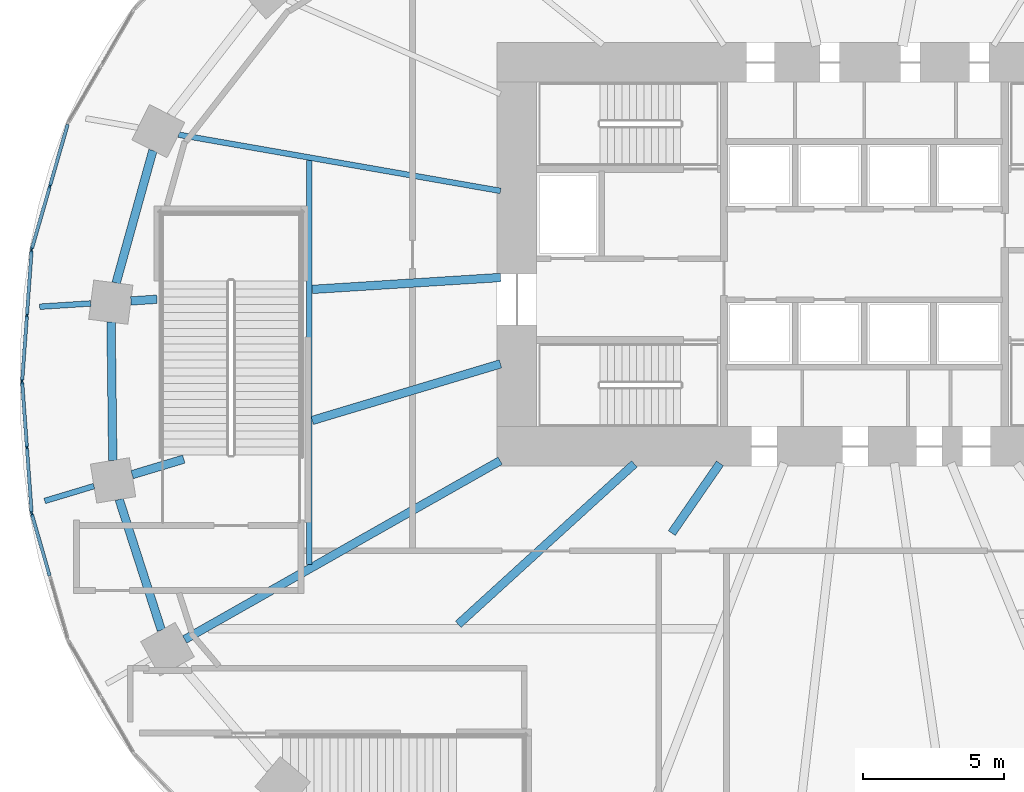
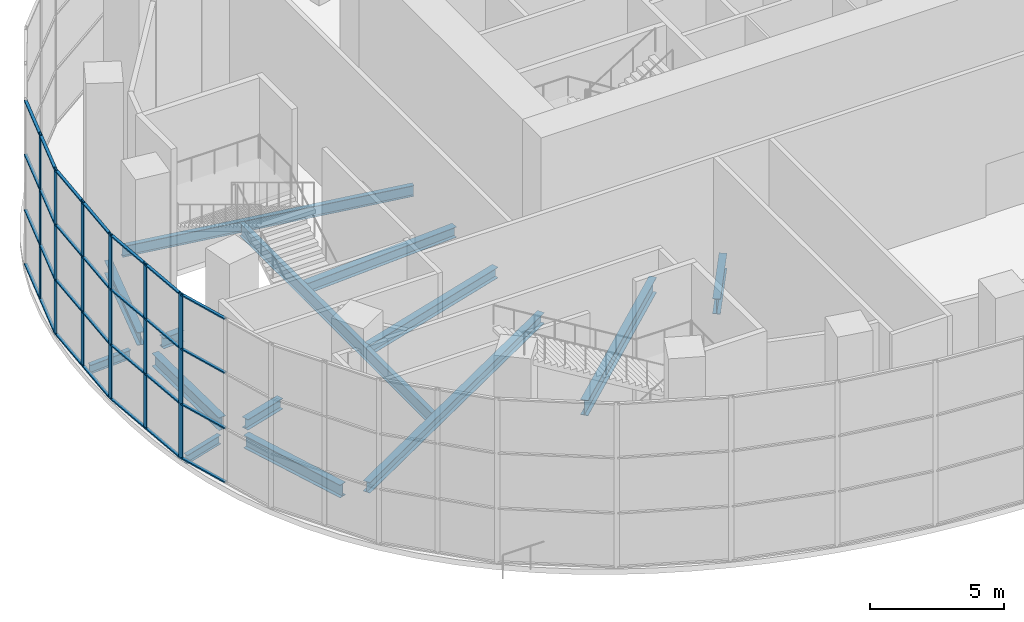
# One storey, part 4 of 22: 34 members, 14 beams, 4 elements without a shape of their own.
"""IFC4 building model written with IfcOpenShell, lengths in metres."""

import ifcopenshell
import ifcopenshell.guid

model = None  # the IFC model being written
_history = None  # IfcOwnerHistory: only IFC2X3 demands one
_inside = {}  # id of a spatial element -> (the spatial element, [elements in it])
_under = {}  # id of a project, library or spatial element -> (it, [spatial elements below it])
_declared = {}  # id of a project -> (the project, [libraries it declares])
_typed = {}  # id of a type object -> (the type object, [elements of that type])
_made_of = {}  # id of a material, layer set ... -> (it, [elements and type objects made of it])


def new_model(schema):
    """Start an empty IFC model of exactly this schema.

    Asked for "IFC4X3", IfcOpenShell would pick the latest addendum, in which some entities
    have other attributes; the version numbers below select the first issue.
    IFC2X3 requires an IfcOwnerHistory on every rooted entity: one is made here for all.
    """
    global model, _history
    if schema == "IFC4X3":
        model = ifcopenshell.file(schema_version=(4, 3, 0, 0))
    else:
        model = ifcopenshell.file(schema=schema)
    _inside.clear()
    _under.clear()
    _declared.clear()
    _typed.clear()
    _made_of.clear()
    _history = None
    if model.schema == "IFC2X3":
        org = make("IfcOrganization", Name="unknown")
        user = make(
            "IfcPersonAndOrganization",
            ThePerson=make("IfcPerson", FamilyName="unknown"),
            TheOrganization=org,
        )
        app = make(
            "IfcApplication",
            ApplicationDeveloper=org,
            Version="unknown",
            ApplicationFullName="unknown",
            ApplicationIdentifier="unknown",
        )
        _history = make(
            "IfcOwnerHistory",
            OwningUser=user,
            OwningApplication=app,
            ChangeAction="ADDED",
            CreationDate=0,
        )
    return model


def make(cls, **values):
    """One entity of the class cls with the attributes given. An attribute that is None is left unset."""
    return model.create_entity(
        cls, **{name: value for name, value in values.items() if value is not None}
    )


def rooted(cls, **values):
    """An entity with a GlobalId (a new one), such as an element, a storey or a relation."""
    return make(cls, GlobalId=ifcopenshell.guid.new(), OwnerHistory=_history, **values)


def si_unit(unit_type, name, prefix=None):
    """IfcSIUnit, for example si_unit("LENGTHUNIT", "METRE", prefix="MILLI")."""
    return make("IfcSIUnit", UnitType=unit_type, Prefix=prefix, Name=name)


def assignment(units):
    """IfcUnitAssignment: the units of a project."""
    return None if units is None else make("IfcUnitAssignment", Units=units)


def point(xyz):
    """IfcCartesianPoint."""
    return None if xyz is None else make("IfcCartesianPoint", Coordinates=xyz)


def direction(xyz):
    """IfcDirection."""
    return None if xyz is None else make("IfcDirection", DirectionRatios=xyz)


def frame(location, z_axis=None, x_axis=None):
    """IfcAxis2Placement3D, a coordinate frame: its origin and axes. An axis left out is left unset."""
    return make(
        "IfcAxis2Placement3D",
        Location=point(location),
        Axis=direction(z_axis),
        RefDirection=direction(x_axis),
    )


def frame_2d(location, x_axis=None):
    """IfcAxis2Placement2D, a coordinate frame in the plane: its origin and x axis."""
    return make(
        "IfcAxis2Placement2D", Location=point(location), RefDirection=direction(x_axis)
    )


def origin():
    """The frame at (0, 0, 0) with its axes left unset."""
    return frame((0.0, 0.0, 0.0))


def origin_2d():
    """The frame at (0, 0) in the plane with its x axis left unset."""
    return frame_2d((0.0, 0.0))


def place(relative_to, where):
    """IfcLocalPlacement: puts the frame where relative to a parent placement (None: the world)."""
    return make(
        "IfcLocalPlacement", PlacementRelTo=relative_to, RelativePlacement=where
    )


def context(
    kind, dimensions, precision=None, world=None, true_north=None, identifier=None
):
    """IfcGeometricRepresentationContext, for example the 3D "Model" context."""
    return make(
        "IfcGeometricRepresentationContext",
        ContextIdentifier=identifier,
        ContextType=kind,
        CoordinateSpaceDimension=dimensions,
        Precision=precision,
        WorldCoordinateSystem=world,
        TrueNorth=true_north,
    )


def subcontext(parent, identifier, kind, view, scale=None):
    """IfcGeometricRepresentationSubContext, for example "Body" below "Model"."""
    return make(
        "IfcGeometricRepresentationSubContext",
        ContextIdentifier=identifier,
        ContextType=kind,
        ParentContext=parent,
        TargetScale=scale,
        TargetView=view,
    )


def project(units=None, contexts=None):
    """IfcProject with its units and contexts."""
    return rooted(
        "IfcProject",
        Name="project",
        RepresentationContexts=contexts,
        UnitsInContext=assignment(units),
    )


def spatial(cls, under=None, at=None, **own):
    """A site, building, storey or space (cls), placed at a placement, below another one or the project."""
    s = rooted(cls, ObjectPlacement=at, **own)
    if under is not None:
        _under.setdefault(under.id(), (under, []))[1].append(s)
    return s


def profile(cls, at=None, kind="AREA", **sizes):
    """A parametric profile (cls). Its sizes go by their IFC names, for example OverallWidth=200.0."""
    return make(cls, ProfileType=kind, Position=at, **sizes)


def rectangle(**sizes):
    """IfcRectangleProfileDef."""
    return profile("IfcRectangleProfileDef", **sizes)


def i_section(**sizes):
    """IfcIShapeProfileDef."""
    return profile("IfcIShapeProfileDef", **sizes)


def extrude(swept, where, along, depth):
    """IfcExtrudedAreaSolid: the profile swept, set in the frame where, extruded along a direction by depth."""
    return make(
        "IfcExtrudedAreaSolid",
        SweptArea=swept,
        Position=where,
        ExtrudedDirection=direction(along),
        Depth=depth,
    )


def shape(context_of_items, identifier, shape_type, items):
    """IfcShapeRepresentation: the items that make up one representation, for example the "Body"."""
    return make(
        "IfcShapeRepresentation",
        ContextOfItems=context_of_items,
        RepresentationIdentifier=identifier,
        RepresentationType=shape_type,
        Items=items,
    )


def material(Name=None, Category=None):
    """IfcMaterial."""
    return make("IfcMaterial", Name=Name, Category=Category)


def material_profile(
    of_material, cross_section, Name=None, Category=None, Priority=None
):
    """IfcMaterialProfile: a cross section and its material."""
    return make(
        "IfcMaterialProfile",
        Name=Name,
        Material=of_material,
        Profile=cross_section,
        Priority=Priority,
        Category=Category,
    )


def profile_set(profiles, Name=None, composite=None):
    """IfcMaterialProfileSet."""
    return make(
        "IfcMaterialProfileSet",
        Name=Name,
        MaterialProfiles=profiles,
        CompositeProfile=composite,
    )


def made_of(thing, what):
    """Note that an element or type object is made of a material, layer set ...; save() writes the relation."""
    if what is not None:
        _made_of.setdefault(what.id(), (what, []))[1].append(thing)
    return thing


def type_object(cls, material=None, **own):
    """A type object (cls), such as IfcWallType, which elements share."""
    return made_of(rooted(cls, **own), material)


def element(
    cls,
    number,
    at=None,
    inside=None,
    cuts=None,
    type_object=None,
    material=None,
    context=None,
    identifier="Body",
    shape_type=None,
    held_by="IfcProductDefinitionShape",
    body=None,
    shapes=None,
    **own,
):
    """One element of the class cls, such as IfcWall. Its Tag is "e" and its number.

    at: its placement. inside: the storey or other place that contains it. cuts: it is an
    opening in that element (IfcRelVoidsElement). A single representation is given by context,
    identifier, shape_type and body (its items); several are given by shapes. held_by: the class
    of the entity that holds the representations. save() writes the other relations.
    """
    e = rooted(cls, Tag="e%d" % number, ObjectPlacement=at, **own)
    if body is not None:
        shapes = [shape(context, identifier, shape_type, body)]
    if shapes is not None:
        e.Representation = make(held_by, Representations=shapes)
    if inside is not None:
        _inside.setdefault(inside.id(), (inside, []))[1].append(e)
    if cuts is not None:
        rooted(
            "IfcRelVoidsElement", RelatingBuildingElement=cuts, RelatedOpeningElement=e
        )
    if type_object is not None:
        _typed.setdefault(type_object.id(), (type_object, []))[1].append(e)
    return made_of(e, material)


def aggregate(whole, parts):
    """IfcRelAggregates: a whole, such as a stair, and the parts it consists of."""
    return rooted("IfcRelAggregates", RelatingObject=whole, RelatedObjects=parts)


def save(model, path):
    """Write the relations noted so far, then the file.

    IfcRelAggregates (storeys below a building ...), IfcRelContainedInSpatialStructure (elements
    in a storey), IfcRelDefinesByType, IfcRelAssociatesMaterial and IfcRelDeclares: one each for
    every whole, place, type object, material and project.
    """
    for whole, parts in _under.values():
        aggregate(whole, parts)
    for where, things in _inside.values():
        rooted(
            "IfcRelContainedInSpatialStructure",
            RelatedElements=things,
            RelatingStructure=where,
        )
    for kind, things in _typed.values():
        rooted("IfcRelDefinesByType", RelatedObjects=things, RelatingType=kind)
    for what, things in _made_of.values():
        rooted("IfcRelAssociatesMaterial", RelatedObjects=things, RelatingMaterial=what)
    for by, libraries in _declared.values():
        rooted("IfcRelDeclares", RelatingContext=by, RelatedDefinitions=libraries)
    model.write(path)


model = new_model("IFC4")

# Units and contexts
model_context = context("Model", 3, precision=1e-05, world=origin(), true_north=direction((0.0, 1.0)))
body_context = subcontext(model_context, "Body", "Model", "MODEL_VIEW")
ifc_project = project(units=[si_unit("LENGTHUNIT", "METRE"), si_unit("AREAUNIT", "SQUARE_METRE"), si_unit("VOLUMEUNIT", "CUBIC_METRE"), si_unit("PLANEANGLEUNIT", "RADIAN"), si_unit("MASSUNIT", "GRAM", prefix="KILO")], contexts=[model_context])

# Site, building, storey
site_placement = place(None, origin())
site = spatial("IfcSite", under=ifc_project, at=site_placement, CompositionType="ELEMENT")
building_placement = place(site_placement, origin())
building = spatial("IfcBuilding", under=site, at=building_placement, Name="Rubra Terraces Tower", CompositionType="ELEMENT")
storey_placement = place(building_placement, frame((0.0, 0.0, 15.0)))
storey = spatial("IfcBuildingStorey", under=building, at=storey_placement, Name="L02", CompositionType="ELEMENT", Elevation=15.0)

# Beams
ifc_material_1 = material(Name="Steel Q355B", Category="steel")
ifc_material_profile_1 = material_profile(ifc_material_1, i_section(OverallWidth=0.199951171875, OverallDepth=0.39990234375, WebThickness=0.008056640625, FlangeThickness=0.012939453125, at=origin_2d()), Name="HN 400x200x8x13")
ifc_profile_set_1 = profile_set([ifc_material_profile_1], Name="Steel Q355B")
beam_type_1 = type_object("IfcBeamType", Name="CANTILEVER BEAM HN 400x200x8x13", PredefinedType="BEAM", material=ifc_profile_set_1)
beam_1_placement = place(storey_placement, frame((-27.39599609375, 2.762939453125, -0.449951171875), z_axis=(-0.997981102524, -0.063511565909, 0.0), x_axis=(0.063511565909, -0.997981102524, 0.0)))
element("IfcBeam", 1, at=beam_1_placement, inside=storey, type_object=beam_type_1, Name="beam-L02-cant-12", PredefinedType="BEAM", context=body_context, shape_type="SweptSolid", body=[
    extrude(i_section(OverallWidth=0.199951171875, OverallDepth=0.39990234375, WebThickness=0.008056640625, FlangeThickness=0.012939453125, at=origin_2d()), origin(), (0.0, 0.0, 1.0), 1.810546875),
])
beam_2_placement = place(storey_placement, frame((-27.281005859375, -3.7060546875, -0.449951171875), z_axis=(-0.95756392402, -0.28822097671, 0.0), x_axis=(0.28822097671, -0.95756392402, 0.0)))
element("IfcBeam", 2, at=beam_2_placement, inside=storey, type_object=beam_type_1, Name="beam-L02-cant-13", PredefinedType="BEAM", context=body_context, shape_type="SweptSolid", body=[
    extrude(i_section(OverallWidth=0.199951171875, OverallDepth=0.39990234375, WebThickness=0.008056640625, FlangeThickness=0.012939453125, at=origin_2d()), origin(), (0.0, 0.0, 1.0), 1.8212890625),
])
ifc_material_profile_2 = material_profile(ifc_material_1, i_section(OverallWidth=0.300048828125, OverallDepth=0.48193359375, WebThickness=0.010986328125, FlangeThickness=0.014892578125, at=origin_2d()), Name="HM 482x300x11x15")
ifc_profile_set_2 = profile_set([ifc_material_profile_2], Name="Steel Q355B")
beam_type_2 = type_object("IfcBeamType", Name="FLOOR BEAM HM 482x300x11x15", PredefinedType="BEAM", material=ifc_profile_set_2)
beam_3_placement = place(storey_placement, frame((-25.971923828125, 2.85302734375, -0.490966796875), z_axis=(0.997952606067, 0.063957767656, 0.0), x_axis=(-0.063957767656, 0.997952606067, 0.0)))
element("IfcBeam", 3, at=beam_3_placement, inside=storey, type_object=beam_type_2, Name="beam-L02-floor-12-a", PredefinedType="BEAM", context=body_context, shape_type="SweptSolid", body=[
    extrude(i_section(OverallWidth=0.300048828125, OverallDepth=0.48193359375, WebThickness=0.010986328125, FlangeThickness=0.014892578125, at=origin_2d()), origin(), (0.0, 0.0, 1.0), 0.923828125),
])
beam_4_placement = place(storey_placement, frame((-19.550048828125, 3.260986328125, -0.490966796875), z_axis=(0.998003521205, 0.063158306364, 0.0), x_axis=(-0.063158306364, 0.998003521205, 0.0)))
element("IfcBeam", 4, at=beam_4_placement, inside=storey, type_object=beam_type_2, Name="beam-L02-floor-12-b", PredefinedType="BEAM", context=body_context, shape_type="SweptSolid", body=[
    extrude(i_section(OverallWidth=0.300048828125, OverallDepth=0.48193359375, WebThickness=0.010986328125, FlangeThickness=0.014892578125, at=origin_2d()), origin(), (0.0, 0.0, 1.0), 6.68359375),
])
beam_5_placement = place(storey_placement, frame((-25.928955078125, -3.300048828125, -0.490966796875), z_axis=(0.957526889741, 0.288343988011, 0.0), x_axis=(-0.288343988011, 0.957526889741, 0.0)))
element("IfcBeam", 5, at=beam_5_placement, inside=storey, type_object=beam_type_2, Name="beam-L02-floor-13-a", PredefinedType="BEAM", context=body_context, shape_type="SweptSolid", body=[
    extrude(i_section(OverallWidth=0.300048828125, OverallDepth=0.48193359375, WebThickness=0.010986328125, FlangeThickness=0.014892578125, at=origin_2d()), origin(), (0.0, 0.0, 1.0), 1.910888671875),
])
beam_6_placement = place(storey_placement, frame((-19.550048828125, -1.381103515625, -0.490966796875), z_axis=(0.95760395175, 0.288087958085, 0.0), x_axis=(-0.288087958085, 0.95760395175, 0.0)))
element("IfcBeam", 6, at=beam_6_placement, inside=storey, type_object=beam_type_2, Name="beam-L02-floor-13-b", PredefinedType="BEAM", context=body_context, shape_type="SweptSolid", body=[
    extrude(i_section(OverallWidth=0.300048828125, OverallDepth=0.48193359375, WebThickness=0.010986328125, FlangeThickness=0.014892578125, at=origin_2d()), origin(), (0.0, 0.0, 1.0), 6.960205078125),
])
beam_7_placement = place(storey_placement, frame((-24.06689453125, -9.137939453125, -0.490966796875), z_axis=(0.869992824144, 0.493064383157, 0.0), x_axis=(-0.493064383157, 0.869992824144, 0.0)))
element("IfcBeam", 7, at=beam_7_placement, inside=storey, type_object=beam_type_2, Name="beam-L02-floor-14", PredefinedType="BEAM", context=body_context, shape_type="SweptSolid", body=[
    extrude(i_section(OverallWidth=0.300048828125, OverallDepth=0.48193359375, WebThickness=0.010986328125, FlangeThickness=0.014892578125, at=origin_2d()), origin(), (0.0, 0.0, 1.0), 12.84033203125),
])
ifc_material_profile_3 = material_profile(ifc_material_1, i_section(OverallWidth=0.198974609375, OverallDepth=0.49609375, WebThickness=0.009033203125, FlangeThickness=0.013916015625, at=origin_2d()), Name="HN 496x199x9x14")
ifc_profile_set_3 = profile_set([ifc_material_profile_3], Name="Steel Q355B")
beam_type_3 = type_object("IfcBeamType", Name="FLOOR BEAM HN 496x199x9x14", PredefinedType="BEAM", material=ifc_profile_set_3)
beam_8_placement = place(storey_placement, frame((-24.282958984375, 8.739990234375, -0.498046875), z_axis=(0.985091834527, -0.172029292701, 0.0), x_axis=(0.172029292701, 0.985091834527, 0.0)))
element("IfcBeam", 8, at=beam_8_placement, inside=storey, type_object=beam_type_3, Name="beam-L02-floor-11", PredefinedType="BEAM", context=body_context, shape_type="SweptSolid", body=[
    extrude(i_section(OverallWidth=0.198974609375, OverallDepth=0.49609375, WebThickness=0.009033203125, FlangeThickness=0.013916015625, at=origin_2d()), origin(), (0.0, 0.0, 1.0), 11.573486328125),
])
ifc_material_profile_4 = material_profile(ifc_material_1, i_section(OverallWidth=0.300048828125, OverallDepth=0.699951171875, WebThickness=0.012939453125, FlangeThickness=0.02392578125, at=origin_2d()), Name="HN 700x300x13x24")
ifc_profile_set_4 = profile_set([ifc_material_profile_4], Name="Steel Q355B")
beam_type_4 = type_object("IfcBeamType", Name="FLOOR BEAM HN 700x300x13x24", PredefinedType="BEAM", material=ifc_profile_set_4)
beam_9_placement = place(storey_placement, frame((-14.3798828125, -8.60009765625, -0.60009765625), z_axis=(0.739219389945, 0.673464693603, 0.0), x_axis=(-0.673464693603, 0.739219389945, 0.0)))
element("IfcBeam", 9, at=beam_9_placement, inside=storey, type_object=beam_type_4, Name="beam-L02-floor-15-a", PredefinedType="BEAM", context=body_context, shape_type="SweptSolid", body=[
    extrude(i_section(OverallWidth=0.300048828125, OverallDepth=0.699951171875, WebThickness=0.012939453125, FlangeThickness=0.02392578125, at=origin_2d()), origin(), (0.0, 0.0, 1.0), 8.435791015625),
])
beam_10_placement = place(storey_placement, frame((-6.818115234375, -5.368896484375, -0.60009765625), z_axis=(0.568409833772, 0.822745562657, 0.0), x_axis=(-0.822745562657, 0.568409833772, 0.0)))
element("IfcBeam", 10, at=beam_10_placement, inside=storey, type_object=beam_type_4, Name="beam-L02-floor-16-a", PredefinedType="BEAM", context=body_context, shape_type="SweptSolid", body=[
    extrude(i_section(OverallWidth=0.300048828125, OverallDepth=0.699951171875, WebThickness=0.012939453125, FlangeThickness=0.02392578125, at=origin_2d()), origin(), (0.0, 0.0, 1.0), 2.999755859375),
])

# Curtain wall, member
ifc_material_2 = material(Name="Aluminium and glass", Category="aluminium")
curtain_wall_type = type_object("IfcCurtainWallType", Name="Curtain wall Podium glazing", PredefinedType="NOTDEFINED", material=ifc_material_2)
curtain_wall_1_placement = place(storey_placement, origin())
curtain_wall_1 = element("IfcCurtainWall", 11, at=curtain_wall_1_placement, inside=storey, type_object=curtain_wall_type, Name="L02 glazing bay 19", PredefinedType="NOTDEFINED")
ifc_material_3 = material(Name="Aluminium, anodised dark grey", Category="aluminium")
ifc_material_profile_5 = material_profile(ifc_material_3, rectangle(XDim=0.06005859375, YDim=0.199951171875, at=origin_2d()), Name="AL 60x200")
ifc_profile_set_5 = profile_set([ifc_material_profile_5], Name="Aluminium, anodised dark grey")
member_type_1 = type_object("IfcMemberType", Name="Podium glazing mullion 60 x 200", PredefinedType="MULLION", material=ifc_profile_set_5)
member_1_placement = place(storey_placement, frame((-28.843505859375, 6.912841796875, 0.0), z_axis=(0.0, 0.0, 1.0), x_axis=(0.961047339404, -0.276383811798, 0.0)))
member_1 = element("IfcMember", 12, at=member_1_placement, type_object=member_type_1, Name="CW1 mullion 2", PredefinedType="MULLION", context=body_context, shape_type="SweptSolid", body=[
    extrude(rectangle(XDim=0.06005859375, YDim=0.199951171875, at=origin_2d()), origin(), (0.0, 0.0, 1.0), 7.550048828125),
])

# Curtain wall, members
curtain_wall_2_placement = place(storey_placement, origin())
curtain_wall_2 = element("IfcCurtainWall", 13, at=curtain_wall_2_placement, inside=storey, type_object=curtain_wall_type, Name="L02 glazing bay 20", PredefinedType="NOTDEFINED")
member_2_placement = place(storey_placement, frame((-29.490234375, 4.646728515625, 0.0), z_axis=(0.0, 0.0, 1.0), x_axis=(0.997419621076, -0.071792057306, 0.0)))
member_2 = element("IfcMember", 14, at=member_2_placement, type_object=member_type_1, Name="CW1 mullion 1", PredefinedType="MULLION", context=body_context, shape_type="SweptSolid", body=[
    extrude(rectangle(XDim=0.06005859375, YDim=0.199951171875, at=origin_2d()), origin(), (0.0, 0.0, 1.0), 7.550048828125),
])
member_3_placement = place(storey_placement, frame((-29.65673828125, 2.335693359375, 0.0), z_axis=(0.0, 0.0, 1.0), x_axis=(0.997419621076, -0.071792057306, 0.0)))
member_3 = element("IfcMember", 15, at=member_3_placement, type_object=member_type_1, Name="CW1 mullion 2", PredefinedType="MULLION", context=body_context, shape_type="SweptSolid", body=[
    extrude(rectangle(XDim=0.06005859375, YDim=0.199951171875, at=origin_2d()), origin(), (0.0, 0.0, 1.0), 7.550048828125),
])

curtain_wall_3_placement = place(storey_placement, origin())
curtain_wall_3 = element("IfcCurtainWall", 16, at=curtain_wall_3_placement, inside=storey, type_object=curtain_wall_type, Name="L02 glazing bay 21", PredefinedType="NOTDEFINED")
member_4_placement = place(storey_placement, frame((-29.822998046875, -0.0244140625, 0.0), z_axis=(0.0, 0.0, 1.0), x_axis=(0.997419621076, 0.071792057306, 0.0)))
member_4 = element("IfcMember", 17, at=member_4_placement, type_object=member_type_1, Name="CW1 mullion 1", PredefinedType="MULLION", context=body_context, shape_type="SweptSolid", body=[
    extrude(rectangle(XDim=0.06005859375, YDim=0.199951171875, at=origin_2d()), origin(), (0.0, 0.0, 1.0), 7.550048828125),
])
member_5_placement = place(storey_placement, frame((-29.65673828125, -2.335693359375, 0.0), z_axis=(0.0, 0.0, 1.0), x_axis=(0.997419621076, 0.071792057306, 0.0)))
member_5 = element("IfcMember", 18, at=member_5_placement, type_object=member_type_1, Name="CW1 mullion 2", PredefinedType="MULLION", context=body_context, shape_type="SweptSolid", body=[
    extrude(rectangle(XDim=0.06005859375, YDim=0.199951171875, at=origin_2d()), origin(), (0.0, 0.0, 1.0), 7.550048828125),
])

# Curtain wall, member
curtain_wall_4_placement = place(storey_placement, origin())
curtain_wall_4 = element("IfcCurtainWall", 19, at=curtain_wall_4_placement, inside=storey, type_object=curtain_wall_type, Name="L02 glazing bay 22", PredefinedType="NOTDEFINED")
member_6_placement = place(storey_placement, frame((-29.482666015625, -4.690185546875, 0.0), z_axis=(0.0, 0.0, 1.0), x_axis=(0.961047339404, 0.276383811798, 0.0)))
member_6 = element("IfcMember", 20, at=member_6_placement, type_object=member_type_1, Name="CW1 mullion 1", PredefinedType="MULLION", context=body_context, shape_type="SweptSolid", body=[
    extrude(rectangle(XDim=0.06005859375, YDim=0.199951171875, at=origin_2d()), origin(), (0.0, 0.0, 1.0), 7.550048828125),
])

# Member
ifc_material_profile_6 = material_profile(ifc_material_3, rectangle(XDim=0.1201171875, YDim=0.06005859375, at=origin_2d()), Name="AL 120x60")
ifc_profile_set_6 = profile_set([ifc_material_profile_6], Name="Aluminium, anodised dark grey")
member_type_2 = type_object("IfcMemberType", Name="Podium glazing transom 120 x 60", PredefinedType="USERDEFINED", material=ifc_profile_set_6)
member_7_placement = place(storey_placement, frame((-28.21240234375, 9.106689453125, 0.06005859375), z_axis=(-0.276452561882, -0.961027565177, 0.0), x_axis=(0.961027565177, -0.276452561882, 0.0)))
member_7 = element("IfcMember", 21, at=member_7_placement, type_object=member_type_2, Name="CW1 transom 1.1", ObjectType="TRANSOM", PredefinedType="USERDEFINED", context=body_context, shape_type="SweptSolid", body=[
    extrude(rectangle(XDim=0.1201171875, YDim=0.06005859375, at=origin_2d()), origin(), (0.0, 0.0, 1.0), 2.2529296875),
])

member_8_placement = place(storey_placement, frame((-28.21240234375, 9.106689453125, 2.5166015625), z_axis=(-0.276452561882, -0.961027565177, 0.0), x_axis=(0.961027565177, -0.276452561882, 0.0)))
member_8 = element("IfcMember", 22, at=member_8_placement, type_object=member_type_2, Name="CW1 transom 1.2", ObjectType="TRANSOM", PredefinedType="USERDEFINED", context=body_context, shape_type="SweptSolid", body=[
    extrude(rectangle(XDim=0.1201171875, YDim=0.06005859375, at=origin_2d()), origin(), (0.0, 0.0, 1.0), 2.2529296875),
])

member_9_placement = place(storey_placement, frame((-28.21240234375, 9.106689453125, 5.033203125), z_axis=(-0.276452561882, -0.961027565177, 0.0), x_axis=(0.961027565177, -0.276452561882, 0.0)))
member_9 = element("IfcMember", 23, at=member_9_placement, type_object=member_type_2, Name="CW1 transom 1.3", ObjectType="TRANSOM", PredefinedType="USERDEFINED", context=body_context, shape_type="SweptSolid", body=[
    extrude(rectangle(XDim=0.1201171875, YDim=0.06005859375, at=origin_2d()), origin(), (0.0, 0.0, 1.0), 2.2529296875),
])

member_10_placement = place(storey_placement, frame((-28.21240234375, 9.106689453125, 7.489990234375), z_axis=(-0.276452561882, -0.961027565177, 0.0), x_axis=(0.961027565177, -0.276452561882, 0.0)))
member_10 = element("IfcMember", 24, at=member_10_placement, type_object=member_type_2, Name="CW1 transom 1.4", ObjectType="TRANSOM", PredefinedType="USERDEFINED", context=body_context, shape_type="SweptSolid", body=[
    extrude(rectangle(XDim=0.1201171875, YDim=0.06005859375, at=origin_2d()), origin(), (0.0, 0.0, 1.0), 2.2529296875),
])

member_11_placement = place(storey_placement, frame((-28.851806640625, 6.884033203125, 0.06005859375), z_axis=(-0.276352469421, -0.961056352481, 0.0), x_axis=(0.961056352481, -0.276352469421, 0.0)))
member_11 = element("IfcMember", 25, at=member_11_placement, type_object=member_type_2, Name="CW1 transom 2.1", ObjectType="TRANSOM", PredefinedType="USERDEFINED", context=body_context, shape_type="SweptSolid", body=[
    extrude(rectangle(XDim=0.1201171875, YDim=0.06005859375, at=origin_2d()), origin(), (0.0, 0.0, 1.0), 2.252685546875),
])

member_12_placement = place(storey_placement, frame((-28.851806640625, 6.884033203125, 2.5166015625), z_axis=(-0.276352469421, -0.961056352481, 0.0), x_axis=(0.961056352481, -0.276352469421, 0.0)))
member_12 = element("IfcMember", 26, at=member_12_placement, type_object=member_type_2, Name="CW1 transom 2.2", ObjectType="TRANSOM", PredefinedType="USERDEFINED", context=body_context, shape_type="SweptSolid", body=[
    extrude(rectangle(XDim=0.1201171875, YDim=0.06005859375, at=origin_2d()), origin(), (0.0, 0.0, 1.0), 2.252685546875),
])

member_13_placement = place(storey_placement, frame((-28.851806640625, 6.884033203125, 5.033203125), z_axis=(-0.276352469421, -0.961056352481, 0.0), x_axis=(0.961056352481, -0.276352469421, 0.0)))
member_13 = element("IfcMember", 27, at=member_13_placement, type_object=member_type_2, Name="CW1 transom 2.3", ObjectType="TRANSOM", PredefinedType="USERDEFINED", context=body_context, shape_type="SweptSolid", body=[
    extrude(rectangle(XDim=0.1201171875, YDim=0.06005859375, at=origin_2d()), origin(), (0.0, 0.0, 1.0), 2.252685546875),
])

member_14_placement = place(storey_placement, frame((-28.851806640625, 6.884033203125, 7.489990234375), z_axis=(-0.276352469421, -0.961056352481, 0.0), x_axis=(0.961056352481, -0.276352469421, 0.0)))
member_14 = element("IfcMember", 28, at=member_14_placement, type_object=member_type_2, Name="CW1 transom 2.4", ObjectType="TRANSOM", PredefinedType="USERDEFINED", context=body_context, shape_type="SweptSolid", body=[
    extrude(rectangle(XDim=0.1201171875, YDim=0.06005859375, at=origin_2d()), origin(), (0.0, 0.0, 1.0), 2.252685546875),
])

aggregate(curtain_wall_1, [member_1, member_7, member_8, member_9, member_10, member_11, member_12, member_13, member_14])

member_15_placement = place(storey_placement, frame((-29.492431640625, 4.61669921875, 0.06005859375), z_axis=(-0.071823568166, -0.997417352494, 0.0), x_axis=(0.997417352494, -0.071823568166, 0.0)))
member_15 = element("IfcMember", 29, at=member_15_placement, type_object=member_type_2, Name="CW1 transom 1.1", ObjectType="TRANSOM", PredefinedType="USERDEFINED", context=body_context, shape_type="SweptSolid", body=[
    extrude(rectangle(XDim=0.1201171875, YDim=0.06005859375, at=origin_2d()), origin(), (0.0, 0.0, 1.0), 2.257080078125),
])

member_16_placement = place(storey_placement, frame((-29.492431640625, 4.61669921875, 2.5166015625), z_axis=(-0.071823568166, -0.997417352494, 0.0), x_axis=(0.997417352494, -0.071823568166, 0.0)))
member_16 = element("IfcMember", 30, at=member_16_placement, type_object=member_type_2, Name="CW1 transom 1.2", ObjectType="TRANSOM", PredefinedType="USERDEFINED", context=body_context, shape_type="SweptSolid", body=[
    extrude(rectangle(XDim=0.1201171875, YDim=0.06005859375, at=origin_2d()), origin(), (0.0, 0.0, 1.0), 2.257080078125),
])

member_17_placement = place(storey_placement, frame((-29.492431640625, 4.61669921875, 5.033203125), z_axis=(-0.071823568166, -0.997417352494, 0.0), x_axis=(0.997417352494, -0.071823568166, 0.0)))
member_17 = element("IfcMember", 31, at=member_17_placement, type_object=member_type_2, Name="CW1 transom 1.3", ObjectType="TRANSOM", PredefinedType="USERDEFINED", context=body_context, shape_type="SweptSolid", body=[
    extrude(rectangle(XDim=0.1201171875, YDim=0.06005859375, at=origin_2d()), origin(), (0.0, 0.0, 1.0), 2.257080078125),
])

member_18_placement = place(storey_placement, frame((-29.492431640625, 4.61669921875, 7.489990234375), z_axis=(-0.071823568166, -0.997417352494, 0.0), x_axis=(0.997417352494, -0.071823568166, 0.0)))
member_18 = element("IfcMember", 32, at=member_18_placement, type_object=member_type_2, Name="CW1 transom 1.4", ObjectType="TRANSOM", PredefinedType="USERDEFINED", context=body_context, shape_type="SweptSolid", body=[
    extrude(rectangle(XDim=0.1201171875, YDim=0.06005859375, at=origin_2d()), origin(), (0.0, 0.0, 1.0), 2.257080078125),
])

member_19_placement = place(storey_placement, frame((-29.658935546875, 2.3056640625, 0.06005859375), z_axis=(-0.071715956886, -0.997425095698, 0.0), x_axis=(0.997425095698, -0.071715956886, 0.0)))
member_19 = element("IfcMember", 33, at=member_19_placement, type_object=member_type_2, Name="CW1 transom 2.1", ObjectType="TRANSOM", PredefinedType="USERDEFINED", context=body_context, shape_type="SweptSolid", body=[
    extrude(rectangle(XDim=0.1201171875, YDim=0.06005859375, at=origin_2d()), origin(), (0.0, 0.0, 1.0), 2.257080078125),
])

member_20_placement = place(storey_placement, frame((-29.658935546875, 2.3056640625, 2.5166015625), z_axis=(-0.071715956886, -0.997425095698, 0.0), x_axis=(0.997425095698, -0.071715956886, 0.0)))
member_20 = element("IfcMember", 34, at=member_20_placement, type_object=member_type_2, Name="CW1 transom 2.2", ObjectType="TRANSOM", PredefinedType="USERDEFINED", context=body_context, shape_type="SweptSolid", body=[
    extrude(rectangle(XDim=0.1201171875, YDim=0.06005859375, at=origin_2d()), origin(), (0.0, 0.0, 1.0), 2.257080078125),
])

member_21_placement = place(storey_placement, frame((-29.658935546875, 2.3056640625, 5.033203125), z_axis=(-0.071715956886, -0.997425095698, 0.0), x_axis=(0.997425095698, -0.071715956886, 0.0)))
member_21 = element("IfcMember", 35, at=member_21_placement, type_object=member_type_2, Name="CW1 transom 2.3", ObjectType="TRANSOM", PredefinedType="USERDEFINED", context=body_context, shape_type="SweptSolid", body=[
    extrude(rectangle(XDim=0.1201171875, YDim=0.06005859375, at=origin_2d()), origin(), (0.0, 0.0, 1.0), 2.257080078125),
])

member_22_placement = place(storey_placement, frame((-29.658935546875, 2.3056640625, 7.489990234375), z_axis=(-0.071715956886, -0.997425095698, 0.0), x_axis=(0.997425095698, -0.071715956886, 0.0)))
member_22 = element("IfcMember", 36, at=member_22_placement, type_object=member_type_2, Name="CW1 transom 2.4", ObjectType="TRANSOM", PredefinedType="USERDEFINED", context=body_context, shape_type="SweptSolid", body=[
    extrude(rectangle(XDim=0.1201171875, YDim=0.06005859375, at=origin_2d()), origin(), (0.0, 0.0, 1.0), 2.257080078125),
])

aggregate(curtain_wall_2, [member_2, member_3, member_15, member_16, member_17, member_18, member_19, member_20, member_21, member_22])

member_23_placement = place(storey_placement, frame((-29.82080078125, -0.054443359375, 0.06005859375), z_axis=(0.071715956886, -0.997425095698, 0.0), x_axis=(0.997425095698, 0.071715956886, 0.0)))
member_23 = element("IfcMember", 37, at=member_23_placement, type_object=member_type_2, Name="CW1 transom 1.1", ObjectType="TRANSOM", PredefinedType="USERDEFINED", context=body_context, shape_type="SweptSolid", body=[
    extrude(rectangle(XDim=0.1201171875, YDim=0.06005859375, at=origin_2d()), origin(), (0.0, 0.0, 1.0), 2.257080078125),
])

member_24_placement = place(storey_placement, frame((-29.82080078125, -0.054443359375, 2.5166015625), z_axis=(0.071715956886, -0.997425095698, 0.0), x_axis=(0.997425095698, 0.071715956886, 0.0)))
member_24 = element("IfcMember", 38, at=member_24_placement, type_object=member_type_2, Name="CW1 transom 1.2", ObjectType="TRANSOM", PredefinedType="USERDEFINED", context=body_context, shape_type="SweptSolid", body=[
    extrude(rectangle(XDim=0.1201171875, YDim=0.06005859375, at=origin_2d()), origin(), (0.0, 0.0, 1.0), 2.257080078125),
])

member_25_placement = place(storey_placement, frame((-29.82080078125, -0.054443359375, 5.033203125), z_axis=(0.071715956886, -0.997425095698, 0.0), x_axis=(0.997425095698, 0.071715956886, 0.0)))
member_25 = element("IfcMember", 39, at=member_25_placement, type_object=member_type_2, Name="CW1 transom 1.3", ObjectType="TRANSOM", PredefinedType="USERDEFINED", context=body_context, shape_type="SweptSolid", body=[
    extrude(rectangle(XDim=0.1201171875, YDim=0.06005859375, at=origin_2d()), origin(), (0.0, 0.0, 1.0), 2.257080078125),
])

member_26_placement = place(storey_placement, frame((-29.82080078125, -0.054443359375, 7.489990234375), z_axis=(0.071715956886, -0.997425095698, 0.0), x_axis=(0.997425095698, 0.071715956886, 0.0)))
member_26 = element("IfcMember", 40, at=member_26_placement, type_object=member_type_2, Name="CW1 transom 1.4", ObjectType="TRANSOM", PredefinedType="USERDEFINED", context=body_context, shape_type="SweptSolid", body=[
    extrude(rectangle(XDim=0.1201171875, YDim=0.06005859375, at=origin_2d()), origin(), (0.0, 0.0, 1.0), 2.257080078125),
])

member_27_placement = place(storey_placement, frame((-29.654541015625, -2.365478515625, 0.06005859375), z_axis=(0.071823568166, -0.997417352494, 0.0), x_axis=(0.997417352494, 0.071823568166, 0.0)))
member_27 = element("IfcMember", 41, at=member_27_placement, type_object=member_type_2, Name="CW1 transom 2.1", ObjectType="TRANSOM", PredefinedType="USERDEFINED", context=body_context, shape_type="SweptSolid", body=[
    extrude(rectangle(XDim=0.1201171875, YDim=0.06005859375, at=origin_2d()), origin(), (0.0, 0.0, 1.0), 2.257080078125),
])

member_28_placement = place(storey_placement, frame((-29.654541015625, -2.365478515625, 2.5166015625), z_axis=(0.071823568166, -0.997417352494, 0.0), x_axis=(0.997417352494, 0.071823568166, 0.0)))
member_28 = element("IfcMember", 42, at=member_28_placement, type_object=member_type_2, Name="CW1 transom 2.2", ObjectType="TRANSOM", PredefinedType="USERDEFINED", context=body_context, shape_type="SweptSolid", body=[
    extrude(rectangle(XDim=0.1201171875, YDim=0.06005859375, at=origin_2d()), origin(), (0.0, 0.0, 1.0), 2.257080078125),
])

member_29_placement = place(storey_placement, frame((-29.654541015625, -2.365478515625, 5.033203125), z_axis=(0.071823568166, -0.997417352494, 0.0), x_axis=(0.997417352494, 0.071823568166, 0.0)))
member_29 = element("IfcMember", 43, at=member_29_placement, type_object=member_type_2, Name="CW1 transom 2.3", ObjectType="TRANSOM", PredefinedType="USERDEFINED", context=body_context, shape_type="SweptSolid", body=[
    extrude(rectangle(XDim=0.1201171875, YDim=0.06005859375, at=origin_2d()), origin(), (0.0, 0.0, 1.0), 2.257080078125),
])

member_30_placement = place(storey_placement, frame((-29.654541015625, -2.365478515625, 7.489990234375), z_axis=(0.071823568166, -0.997417352494, 0.0), x_axis=(0.997417352494, 0.071823568166, 0.0)))
member_30 = element("IfcMember", 44, at=member_30_placement, type_object=member_type_2, Name="CW1 transom 2.4", ObjectType="TRANSOM", PredefinedType="USERDEFINED", context=body_context, shape_type="SweptSolid", body=[
    extrude(rectangle(XDim=0.1201171875, YDim=0.06005859375, at=origin_2d()), origin(), (0.0, 0.0, 1.0), 2.257080078125),
])

aggregate(curtain_wall_3, [member_4, member_5, member_23, member_24, member_25, member_26, member_27, member_28, member_29, member_30])

member_31_placement = place(storey_placement, frame((-29.474365234375, -4.718994140625, 0.06005859375), z_axis=(0.276352469421, -0.961056352481, 0.0), x_axis=(0.961056352481, 0.276352469421, 0.0)))
member_31 = element("IfcMember", 45, at=member_31_placement, type_object=member_type_2, Name="CW1 transom 1.1", ObjectType="TRANSOM", PredefinedType="USERDEFINED", context=body_context, shape_type="SweptSolid", body=[
    extrude(rectangle(XDim=0.1201171875, YDim=0.06005859375, at=origin_2d()), origin(), (0.0, 0.0, 1.0), 2.252685546875),
])

member_32_placement = place(storey_placement, frame((-29.474365234375, -4.718994140625, 2.5166015625), z_axis=(0.276352469421, -0.961056352481, 0.0), x_axis=(0.961056352481, 0.276352469421, 0.0)))
member_32 = element("IfcMember", 46, at=member_32_placement, type_object=member_type_2, Name="CW1 transom 1.2", ObjectType="TRANSOM", PredefinedType="USERDEFINED", context=body_context, shape_type="SweptSolid", body=[
    extrude(rectangle(XDim=0.1201171875, YDim=0.06005859375, at=origin_2d()), origin(), (0.0, 0.0, 1.0), 2.252685546875),
])

member_33_placement = place(storey_placement, frame((-29.474365234375, -4.718994140625, 5.033203125), z_axis=(0.276352469421, -0.961056352481, 0.0), x_axis=(0.961056352481, 0.276352469421, 0.0)))
member_33 = element("IfcMember", 47, at=member_33_placement, type_object=member_type_2, Name="CW1 transom 1.3", ObjectType="TRANSOM", PredefinedType="USERDEFINED", context=body_context, shape_type="SweptSolid", body=[
    extrude(rectangle(XDim=0.1201171875, YDim=0.06005859375, at=origin_2d()), origin(), (0.0, 0.0, 1.0), 2.252685546875),
])

member_34_placement = place(storey_placement, frame((-29.474365234375, -4.718994140625, 7.489990234375), z_axis=(0.276352469421, -0.961056352481, 0.0), x_axis=(0.961056352481, 0.276352469421, 0.0)))
member_34 = element("IfcMember", 48, at=member_34_placement, type_object=member_type_2, Name="CW1 transom 1.4", ObjectType="TRANSOM", PredefinedType="USERDEFINED", context=body_context, shape_type="SweptSolid", body=[
    extrude(rectangle(XDim=0.1201171875, YDim=0.06005859375, at=origin_2d()), origin(), (0.0, 0.0, 1.0), 2.252685546875),
])

aggregate(curtain_wall_4, [member_6, member_31, member_32, member_33, member_34])

# Beams
ifc_material_profile_7 = material_profile(ifc_material_1, i_section(OverallWidth=0.300048828125, OverallDepth=0.587890625, WebThickness=0.011962890625, FlangeThickness=0.02001953125, at=origin_2d()), Name="HM 588x300x12x20")
ifc_profile_set_7 = profile_set([ifc_material_profile_7], Name="Steel Q355B")
beam_type_5 = type_object("IfcBeamType", Name="SPANDREL BEAM HM 588x300x12x20", PredefinedType="SPANDREL", material=ifc_profile_set_7)
beam_11_placement = place(storey_placement, frame((-25.194091796875, 8.177978515625, -0.5439453125), z_axis=(-0.267364386726, -0.96359549849, 0.0), x_axis=(0.96359549849, -0.267364386726, 0.0)))
element("IfcBeam", 49, at=beam_11_placement, inside=storey, type_object=beam_type_5, Name="beam-L02-spandrel-11", PredefinedType="SPANDREL", context=body_context, shape_type="SweptSolid", body=[
    extrude(i_section(OverallWidth=0.300048828125, OverallDepth=0.587890625, WebThickness=0.011962890625, FlangeThickness=0.02001953125, at=origin_2d()), origin(), (0.0, 0.0, 1.0), 4.8662109375),
])
beam_12_placement = place(storey_placement, frame((-26.675048828125, 2.10107421875, -0.5439453125), z_axis=(0.012465372298, -0.999922304228, 0.0), x_axis=(0.999922304228, 0.012465372298, 0.0)))
element("IfcBeam", 50, at=beam_12_placement, inside=storey, type_object=beam_type_5, Name="beam-L02-spandrel-12", PredefinedType="SPANDREL", context=body_context, shape_type="SweptSolid", body=[
    extrude(i_section(OverallWidth=0.300048828125, OverallDepth=0.587890625, WebThickness=0.011962890625, FlangeThickness=0.02001953125, at=origin_2d()), origin(), (0.0, 0.0, 1.0), 4.896484375),
])
beam_13_placement = place(storey_placement, frame((-26.387939453125, -4.177001953125, -0.5439453125), z_axis=(0.30706880261, -0.951687317591, 0.0), x_axis=(0.951687317591, 0.30706880261, 0.0)))
element("IfcBeam", 51, at=beam_13_placement, inside=storey, type_object=beam_type_5, Name="beam-L02-spandrel-13", PredefinedType="SPANDREL", context=body_context, shape_type="SweptSolid", body=[
    extrude(i_section(OverallWidth=0.300048828125, OverallDepth=0.587890625, WebThickness=0.011962890625, FlangeThickness=0.02001953125, at=origin_2d()), origin(), (0.0, 0.0, 1.0), 4.86181640625),
])
ifc_material_profile_8 = material_profile(ifc_material_1, i_section(OverallWidth=0.198974609375, OverallDepth=0.595947265625, WebThickness=0.010009765625, FlangeThickness=0.014892578125, at=origin_2d()), Name="HN 596x199x10x15")
ifc_profile_set_8 = profile_set([ifc_material_profile_8], Name="Steel Q355B")
beam_type_6 = type_object("IfcBeamType", Name="TRIMMER BEAM HN 596x199x10x15", PredefinedType="BEAM", material=ifc_profile_set_8)
beam_14_placement = place(storey_placement, frame((-19.64990234375, -6.485107421875, -0.548095703125), z_axis=(0.0, 1.0, 0.0), x_axis=(-1.0, 0.0, 0.0)))
element("IfcBeam", 52, at=beam_14_placement, inside=storey, type_object=beam_type_6, Name="beam-L02-header-1-xhi", PredefinedType="BEAM", context=body_context, shape_type="SweptSolid", body=[
    extrude(i_section(OverallWidth=0.198974609375, OverallDepth=0.595947265625, WebThickness=0.010009765625, FlangeThickness=0.014892578125, at=origin_2d()), origin(), (0.0, 0.0, 1.0), 14.317138671875),
])

save(model, "model.ifc")
